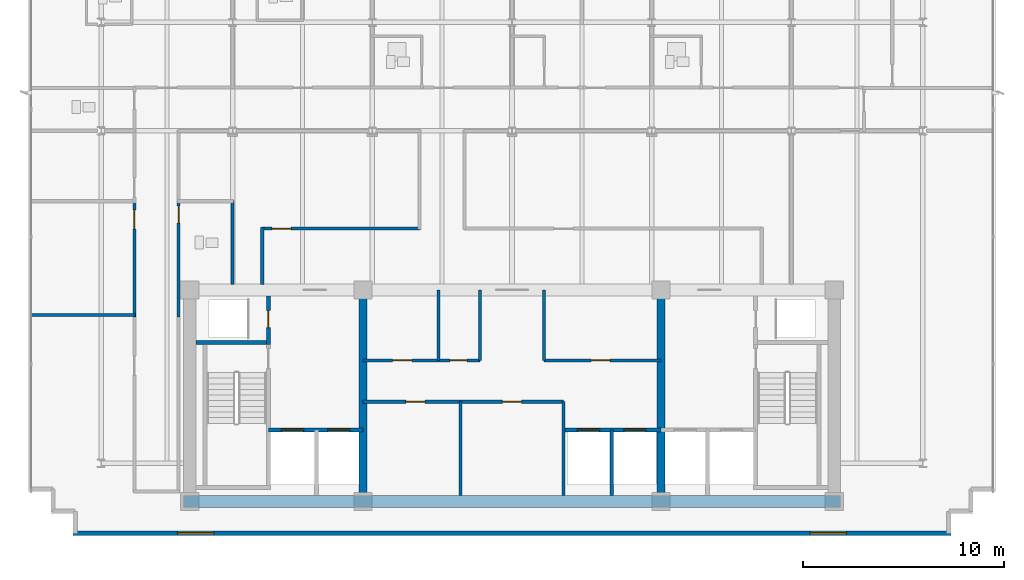
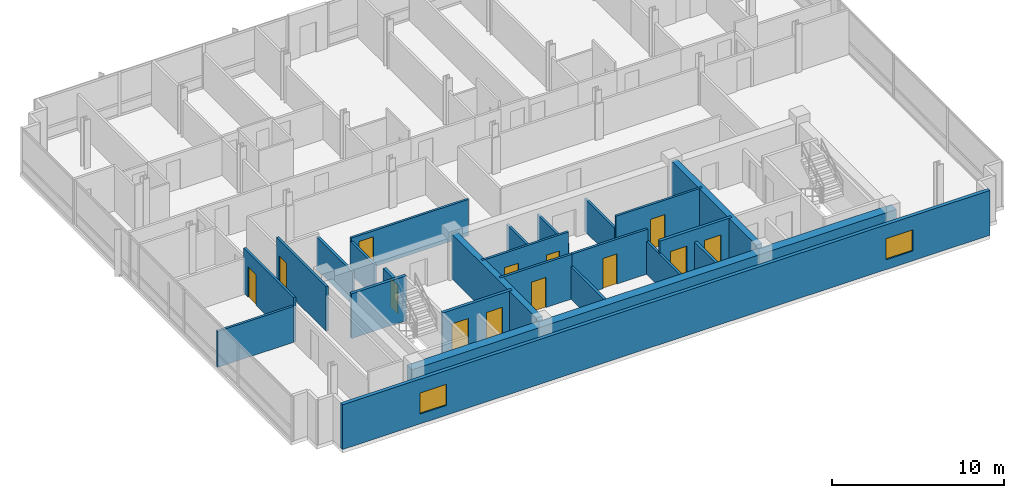
# One storey, part 8 of 14: 24 walls, 13 doors, 2 windows, 15 openings.
"""IFC4 building model written with IfcOpenShell, lengths in metres."""

import ifcopenshell
import ifcopenshell.guid

model = None  # the IFC model being written
_history = None  # IfcOwnerHistory: only IFC2X3 demands one
_inside = {}  # id of a spatial element -> (the spatial element, [elements in it])
_under = {}  # id of a project, library or spatial element -> (it, [spatial elements below it])
_declared = {}  # id of a project -> (the project, [libraries it declares])
_typed = {}  # id of a type object -> (the type object, [elements of that type])
_made_of = {}  # id of a material, layer set ... -> (it, [elements and type objects made of it])


def new_model(schema):
    """Start an empty IFC model of exactly this schema.

    Asked for "IFC4X3", IfcOpenShell would pick the latest addendum, in which some entities
    have other attributes; the version numbers below select the first issue.
    IFC2X3 requires an IfcOwnerHistory on every rooted entity: one is made here for all.
    """
    global model, _history
    if schema == "IFC4X3":
        model = ifcopenshell.file(schema_version=(4, 3, 0, 0))
    else:
        model = ifcopenshell.file(schema=schema)
    _inside.clear()
    _under.clear()
    _declared.clear()
    _typed.clear()
    _made_of.clear()
    _history = None
    if model.schema == "IFC2X3":
        org = make("IfcOrganization", Name="unknown")
        user = make(
            "IfcPersonAndOrganization",
            ThePerson=make("IfcPerson", FamilyName="unknown"),
            TheOrganization=org,
        )
        app = make(
            "IfcApplication",
            ApplicationDeveloper=org,
            Version="unknown",
            ApplicationFullName="unknown",
            ApplicationIdentifier="unknown",
        )
        _history = make(
            "IfcOwnerHistory",
            OwningUser=user,
            OwningApplication=app,
            ChangeAction="ADDED",
            CreationDate=0,
        )
    return model


def make(cls, **values):
    """One entity of the class cls with the attributes given. An attribute that is None is left unset."""
    return model.create_entity(
        cls, **{name: value for name, value in values.items() if value is not None}
    )


def rooted(cls, **values):
    """An entity with a GlobalId (a new one), such as an element, a storey or a relation."""
    return make(cls, GlobalId=ifcopenshell.guid.new(), OwnerHistory=_history, **values)


def si_unit(unit_type, name, prefix=None):
    """IfcSIUnit, for example si_unit("LENGTHUNIT", "METRE", prefix="MILLI")."""
    return make("IfcSIUnit", UnitType=unit_type, Prefix=prefix, Name=name)


def assignment(units):
    """IfcUnitAssignment: the units of a project."""
    return None if units is None else make("IfcUnitAssignment", Units=units)


def point(xyz):
    """IfcCartesianPoint."""
    return None if xyz is None else make("IfcCartesianPoint", Coordinates=xyz)


def direction(xyz):
    """IfcDirection."""
    return None if xyz is None else make("IfcDirection", DirectionRatios=xyz)


def frame(location, z_axis=None, x_axis=None):
    """IfcAxis2Placement3D, a coordinate frame: its origin and axes. An axis left out is left unset."""
    return make(
        "IfcAxis2Placement3D",
        Location=point(location),
        Axis=direction(z_axis),
        RefDirection=direction(x_axis),
    )


def frame_2d(location, x_axis=None):
    """IfcAxis2Placement2D, a coordinate frame in the plane: its origin and x axis."""
    return make(
        "IfcAxis2Placement2D", Location=point(location), RefDirection=direction(x_axis)
    )


def origin():
    """The frame at (0, 0, 0) with its axes left unset."""
    return frame((0.0, 0.0, 0.0))


def place(relative_to, where):
    """IfcLocalPlacement: puts the frame where relative to a parent placement (None: the world)."""
    return make(
        "IfcLocalPlacement", PlacementRelTo=relative_to, RelativePlacement=where
    )


def context(
    kind, dimensions, precision=None, world=None, true_north=None, identifier=None
):
    """IfcGeometricRepresentationContext, for example the 3D "Model" context."""
    return make(
        "IfcGeometricRepresentationContext",
        ContextIdentifier=identifier,
        ContextType=kind,
        CoordinateSpaceDimension=dimensions,
        Precision=precision,
        WorldCoordinateSystem=world,
        TrueNorth=true_north,
    )


def subcontext(parent, identifier, kind, view, scale=None):
    """IfcGeometricRepresentationSubContext, for example "Body" below "Model"."""
    return make(
        "IfcGeometricRepresentationSubContext",
        ContextIdentifier=identifier,
        ContextType=kind,
        ParentContext=parent,
        TargetScale=scale,
        TargetView=view,
    )


def project(units=None, contexts=None):
    """IfcProject with its units and contexts."""
    return rooted(
        "IfcProject",
        Name="project",
        RepresentationContexts=contexts,
        UnitsInContext=assignment(units),
    )


def spatial(cls, under=None, at=None, **own):
    """A site, building, storey or space (cls), placed at a placement, below another one or the project."""
    s = rooted(cls, ObjectPlacement=at, **own)
    if under is not None:
        _under.setdefault(under.id(), (under, []))[1].append(s)
    return s


def profile(cls, at=None, kind="AREA", **sizes):
    """A parametric profile (cls). Its sizes go by their IFC names, for example OverallWidth=200.0."""
    return make(cls, ProfileType=kind, Position=at, **sizes)


def rectangle(**sizes):
    """IfcRectangleProfileDef."""
    return profile("IfcRectangleProfileDef", **sizes)


def extrude(swept, where, along, depth):
    """IfcExtrudedAreaSolid: the profile swept, set in the frame where, extruded along a direction by depth."""
    return make(
        "IfcExtrudedAreaSolid",
        SweptArea=swept,
        Position=where,
        ExtrudedDirection=direction(along),
        Depth=depth,
    )


def shape(context_of_items, identifier, shape_type, items):
    """IfcShapeRepresentation: the items that make up one representation, for example the "Body"."""
    return make(
        "IfcShapeRepresentation",
        ContextOfItems=context_of_items,
        RepresentationIdentifier=identifier,
        RepresentationType=shape_type,
        Items=items,
    )


def material(Name=None, Category=None):
    """IfcMaterial."""
    return make("IfcMaterial", Name=Name, Category=Category)


def layer(
    of_material, thickness, ventilated=None, Name=None, Category=None, Priority=None
):
    """IfcMaterialLayer: one layer of a wall or slab, of a material (None: an air gap)."""
    return make(
        "IfcMaterialLayer",
        Material=of_material,
        LayerThickness=thickness,
        IsVentilated=ventilated,
        Name=Name,
        Category=Category,
        Priority=Priority,
    )


def layer_set(layers, Name=None):
    """IfcMaterialLayerSet."""
    return make("IfcMaterialLayerSet", MaterialLayers=layers, LayerSetName=Name)


def made_of(thing, what):
    """Note that an element or type object is made of a material, layer set ...; save() writes the relation."""
    if what is not None:
        _made_of.setdefault(what.id(), (what, []))[1].append(thing)
    return thing


def type_object(cls, material=None, **own):
    """A type object (cls), such as IfcWallType, which elements share."""
    return made_of(rooted(cls, **own), material)


def element(
    cls,
    number,
    at=None,
    inside=None,
    cuts=None,
    type_object=None,
    material=None,
    context=None,
    identifier="Body",
    shape_type=None,
    held_by="IfcProductDefinitionShape",
    body=None,
    shapes=None,
    **own,
):
    """One element of the class cls, such as IfcWall. Its Tag is "e" and its number.

    at: its placement. inside: the storey or other place that contains it. cuts: it is an
    opening in that element (IfcRelVoidsElement). A single representation is given by context,
    identifier, shape_type and body (its items); several are given by shapes. held_by: the class
    of the entity that holds the representations. save() writes the other relations.
    """
    e = rooted(cls, Tag="e%d" % number, ObjectPlacement=at, **own)
    if body is not None:
        shapes = [shape(context, identifier, shape_type, body)]
    if shapes is not None:
        e.Representation = make(held_by, Representations=shapes)
    if inside is not None:
        _inside.setdefault(inside.id(), (inside, []))[1].append(e)
    if cuts is not None:
        rooted(
            "IfcRelVoidsElement", RelatingBuildingElement=cuts, RelatedOpeningElement=e
        )
    if type_object is not None:
        _typed.setdefault(type_object.id(), (type_object, []))[1].append(e)
    return made_of(e, material)


def fill(opening, filler):
    """IfcRelFillsElement: the door or window that sits in an opening."""
    return rooted(
        "IfcRelFillsElement",
        RelatingOpeningElement=opening,
        RelatedBuildingElement=filler,
    )


def aggregate(whole, parts):
    """IfcRelAggregates: a whole, such as a stair, and the parts it consists of."""
    return rooted("IfcRelAggregates", RelatingObject=whole, RelatedObjects=parts)


def save(model, path):
    """Write the relations noted so far, then the file.

    IfcRelAggregates (storeys below a building ...), IfcRelContainedInSpatialStructure (elements
    in a storey), IfcRelDefinesByType, IfcRelAssociatesMaterial and IfcRelDeclares: one each for
    every whole, place, type object, material and project.
    """
    for whole, parts in _under.values():
        aggregate(whole, parts)
    for where, things in _inside.values():
        rooted(
            "IfcRelContainedInSpatialStructure",
            RelatedElements=things,
            RelatingStructure=where,
        )
    for kind, things in _typed.values():
        rooted("IfcRelDefinesByType", RelatedObjects=things, RelatingType=kind)
    for what, things in _made_of.values():
        rooted("IfcRelAssociatesMaterial", RelatedObjects=things, RelatingMaterial=what)
    for by, libraries in _declared.values():
        rooted("IfcRelDeclares", RelatingContext=by, RelatedDefinitions=libraries)
    model.write(path)


model = new_model("IFC4")

# Units and contexts
model_context = context("Model", 3, precision=1e-05, world=origin(), true_north=direction((0.0, 1.0)))
body_context = subcontext(model_context, "Body", "Model", "MODEL_VIEW")
ifc_project = project(units=[si_unit("LENGTHUNIT", "METRE"), si_unit("AREAUNIT", "SQUARE_METRE"), si_unit("VOLUMEUNIT", "CUBIC_METRE"), si_unit("PLANEANGLEUNIT", "RADIAN"), si_unit("MASSUNIT", "GRAM", prefix="KILO")], contexts=[model_context])

# Site, building, storey
site_placement = place(None, origin())
site = spatial("IfcSite", under=ifc_project, at=site_placement, CompositionType="ELEMENT")
building_placement = place(site_placement, origin())
building = spatial("IfcBuilding", under=site, at=building_placement, Name="Solmavex Isthmus Hotel", CompositionType="ELEMENT")
storey_placement = place(building_placement, frame((0.0, 0.0, 248.85009765625)))
storey = spatial("IfcBuildingStorey", under=building, at=storey_placement, Name="L67", CompositionType="ELEMENT", Elevation=248.85009765625)

# Wall, openings, windows
ifc_material_1 = material(Name="Precast Concrete C40/50", Category="concrete")
ifc_layer_1 = layer(ifc_material_1, 0.25)
ifc_layer_set_1 = layer_set([ifc_layer_1], Name="Precast Concrete C40/50")
wall_type_1 = type_object("IfcWallType", Name="EW-TWR-250", PredefinedType="STANDARD", material=ifc_layer_set_1)
wall_1_placement = place(storey_placement, frame((-21.800048828125, -14.580078125, 0.0), z_axis=(0.0, 0.0, 1.0), x_axis=(1.0, 0.0, 0.0)))
wall_1 = element("IfcWall", 1, at=wall_1_placement, inside=storey, type_object=wall_type_1, Name="Tower Rear South Facade Wall L67", PredefinedType="STANDARD", context=body_context, shape_type="SweptSolid", body=[
    extrude(rectangle(XDim=43.60009765625, YDim=0.239990234375, at=frame_2d((21.800048828125, 0.0))), origin(), (0.0, 0.0, 1.0), 3.18994140625),
])
opening_1_placement = place(wall_1_placement, frame((5.2041015625, 0.0, 0.699951171875)))
opening_1 = element("IfcOpeningElement", 2, at=opening_1_placement, cuts=wall_1, Name="Opening WN-02", PredefinedType="OPENING", context=body_context, shape_type="SweptSolid", body=[
    extrude(rectangle(XDim=1.800048828125, YDim=1.5, at=frame_2d((0.89990234375, 0.75))), frame((0.0, 0.1298828125, 0.0), z_axis=(0.0, -1.0, 0.0), x_axis=(1.0, 0.0, 0.0)), (0.0, 0.0, 1.0), 0.260009765625),
])
opening_2_placement = place(wall_1_placement, frame((36.595947265625, 0.0, 0.699951171875)))
opening_2 = element("IfcOpeningElement", 3, at=opening_2_placement, cuts=wall_1, Name="Opening WN-02", PredefinedType="OPENING", context=body_context, shape_type="SweptSolid", body=[
    extrude(rectangle(XDim=1.800048828125, YDim=1.5, at=frame_2d((0.89990234375, 0.75))), frame((0.0, 0.1298828125, 0.0), z_axis=(0.0, -1.0, 0.0), x_axis=(1.0, 0.0, 0.0)), (0.0, 0.0, 1.0), 0.260009765625),
])
ifc_material_2 = material(Name="Clear low-E laminated glass", Category="glass")
window_type = type_object("IfcWindowType", Name="WIN-TWR-1800", PartitioningType="SINGLE_PANEL", PredefinedType="WINDOW", material=ifc_material_2)
window_1_placement = place(opening_1_placement, origin())
window_1 = element("IfcWindow", 4, at=window_1_placement, inside=storey, type_object=window_type, Name="South Facade Vision Window L67-S1", OverallHeight=1.5, OverallWidth=1.800048828125, PartitioningType="SINGLE_PANEL", PredefinedType="WINDOW", context=body_context, shape_type="SweptSolid", body=[
    extrude(rectangle(XDim=1.800048828125, YDim=1.5, at=frame_2d((0.89990234375, 0.75))), frame((0.0, 0.030029296875, 0.0), z_axis=(0.0, -1.0, 0.0), x_axis=(1.0, 0.0, 0.0)), (0.0, 0.0, 1.0), 0.06005859375),
])
fill(opening_1, window_1)
window_2_placement = place(opening_2_placement, origin())
window_2 = element("IfcWindow", 5, at=window_2_placement, inside=storey, type_object=window_type, Name="South Facade Vision Window L67-S2", OverallHeight=1.5, OverallWidth=1.800048828125, PartitioningType="SINGLE_PANEL", PredefinedType="WINDOW", context=body_context, shape_type="SweptSolid", body=[
    extrude(rectangle(XDim=1.800048828125, YDim=1.5, at=frame_2d((0.89990234375, 0.75))), frame((0.0, 0.030029296875, 0.0), z_axis=(0.0, -1.0, 0.0), x_axis=(1.0, 0.0, 0.0)), (0.0, 0.0, 1.0), 0.06005859375),
])
fill(opening_2, window_2)

# Wall, opening, door
ifc_material_3 = material(Name="Gypsum plasterboard lining", Category="gypsum")
ifc_layer_2 = layer(ifc_material_3, 0.159912109375)
ifc_layer_set_2 = layer_set([ifc_layer_2], Name="Gypsum plasterboard lining")
wall_type_2 = type_object("IfcWallType", Name="IW-COMP-160", PredefinedType="PARTITIONING", material=ifc_layer_set_2)
wall_2_placement = place(storey_placement, frame((-7.39990234375, -8.050048828125, 0.0), z_axis=(0.0, 0.0, 1.0), x_axis=(1.0, 0.0, 0.0)))
wall_2 = element("IfcWall", 6, at=wall_2_placement, inside=storey, type_object=wall_type_2, Name="Interior Partition Wall W-L67-REC-PLL-N", PredefinedType="PARTITIONING", context=body_context, shape_type="SweptSolid", body=[
    extrude(rectangle(XDim=4.849853515625, YDim=0.159912109375, at=frame_2d((2.4248046875, 0.0))), origin(), (0.0, 0.0, 1.0), 3.18994140625),
])
opening_3_placement = place(wall_2_placement, frame((2.125, 0.0, 0.0)))
opening_3 = element("IfcOpeningElement", 7, at=opening_3_placement, cuts=wall_2, Name="Opening ID-C095", PredefinedType="OPENING", context=body_context, shape_type="SweptSolid", body=[
    extrude(rectangle(XDim=0.949951171875, YDim=2.14990234375, at=frame_2d((0.47509765625, 1.074951171875))), frame((0.0, 0.08984375, 0.0), z_axis=(0.0, -1.0, 0.0), x_axis=(1.0, 0.0, 0.0)), (0.0, 0.0, 1.0), 0.179931640625),
])
ifc_material_4 = material(Name="Hardwood timber", Category="wood")
door_type_1 = type_object("IfcDoorType", Name="IDR-FD60-0950", OperationType="NOTDEFINED", PredefinedType="DOOR", material=ifc_material_4)
door_1_placement = place(opening_3_placement, origin())
door_1 = element("IfcDoor", 8, at=door_1_placement, inside=storey, type_object=door_type_1, Name="Linen Reserve Door L67", OperationType="SINGLE_SWING_LEFT", OverallHeight=2.14990234375, OverallWidth=0.949951171875, PredefinedType="DOOR", context=body_context, shape_type="SweptSolid", body=[
    extrude(rectangle(XDim=0.949951171875, YDim=2.14990234375, at=frame_2d((0.47509765625, 1.074951171875))), frame((0.0, 0.02490234375, 0.0), z_axis=(0.0, -1.0, 0.0), x_axis=(1.0, 0.0, 0.0)), (0.0, 0.0, 1.0), 0.050048828125),
])
fill(opening_3, door_1)

# Wall
wall_3_placement = place(storey_placement, frame((-2.550048828125, -12.699951171875, 0.0), z_axis=(0.0, 0.0, 1.0), x_axis=(0.0, 1.0, 0.0)))
element("IfcWall", 9, at=wall_3_placement, inside=storey, type_object=wall_type_2, Name="Interior Partition Wall W-L67-REC-PLL-E", PredefinedType="PARTITIONING", context=body_context, shape_type="SweptSolid", body=[
    extrude(rectangle(XDim=4.64990234375, YDim=0.159912109375, at=frame_2d((2.324951171875, 0.0))), origin(), (0.0, 0.0, 1.0), 2.324951171875),
])

# Wall, opening, door
wall_4_placement = place(storey_placement, frame((-2.550048828125, -8.050048828125, 0.0), z_axis=(0.0, 0.0, 1.0), x_axis=(1.0, 0.0, 0.0)))
wall_4 = element("IfcWall", 10, at=wall_4_placement, inside=storey, type_object=wall_type_2, Name="Interior Partition Wall W-L67-REC-PLM-N", PredefinedType="PARTITIONING", context=body_context, shape_type="SweptSolid", body=[
    extrude(rectangle(XDim=5.10009765625, YDim=0.159912109375, at=frame_2d((2.550048828125, 0.0))), origin(), (0.0, 0.0, 1.0), 3.18994140625),
])
opening_4_placement = place(wall_4_placement, frame((2.074951171875, 0.0, 0.0)))
opening_4 = element("IfcOpeningElement", 11, at=opening_4_placement, cuts=wall_4, Name="Opening ID-C095", PredefinedType="OPENING", context=body_context, shape_type="SweptSolid", body=[
    extrude(rectangle(XDim=0.949951171875, YDim=2.14990234375, at=frame_2d((0.47509765625, 1.074951171875))), frame((0.0, 0.08984375, 0.0), z_axis=(0.0, -1.0, 0.0), x_axis=(1.0, 0.0, 0.0)), (0.0, 0.0, 1.0), 0.179931640625),
])
door_2_placement = place(opening_4_placement, origin())
door_2 = element("IfcDoor", 12, at=door_2_placement, inside=storey, type_object=door_type_1, Name="Butler Store Door L67", OperationType="SINGLE_SWING_RIGHT", OverallHeight=2.14990234375, OverallWidth=0.949951171875, PredefinedType="DOOR", context=body_context, shape_type="SweptSolid", body=[
    extrude(rectangle(XDim=0.949951171875, YDim=2.14990234375, at=frame_2d((0.47509765625, 1.074951171875))), frame((0.0, 0.02490234375, 0.0), z_axis=(0.0, -1.0, 0.0), x_axis=(1.0, 0.0, 0.0)), (0.0, 0.0, 1.0), 0.050048828125),
])
fill(opening_4, door_2)

# Walls
wall_5_placement = place(storey_placement, frame((2.550048828125, -12.699951171875, 0.0), z_axis=(0.0, 0.0, 1.0), x_axis=(0.0, 1.0, 0.0)))
element("IfcWall", 13, at=wall_5_placement, inside=storey, type_object=wall_type_2, Name="Interior Partition Wall W-L67-REC-PLM-E", PredefinedType="PARTITIONING", context=body_context, shape_type="SweptSolid", body=[
    extrude(rectangle(XDim=4.64990234375, YDim=0.159912109375, at=frame_2d((2.324951171875, 0.0))), origin(), (0.0, 0.0, 1.0), 2.324951171875),
])
wall_6_placement = place(storey_placement, frame((-13.8720703125, 1.93994140625, 0.0), z_axis=(0.0, 0.0, 1.0), x_axis=(0.0, -1.0, 0.0)))
element("IfcWall", 14, at=wall_6_placement, inside=storey, type_object=wall_type_2, Name="Interior Partition Wall W-L67-P090", PredefinedType="PARTITIONING", context=body_context, shape_type="SweptSolid", body=[
    extrude(rectangle(XDim=4.179931640625, YDim=0.159912109375, at=frame_2d((2.08984375, 0.0))), origin(), (0.0, 0.0, 1.0), 2.324951171875),
])
wall_7_placement = place(storey_placement, frame((-18.7099609375, -3.75, 0.0), z_axis=(0.0, 0.0, 1.0), x_axis=(-1.0, 0.0, 0.0)))
element("IfcWall", 15, at=wall_7_placement, inside=storey, type_object=wall_type_2, Name="Interior Partition Wall W-L67-P094", PredefinedType="PARTITIONING", context=body_context, shape_type="SweptSolid", body=[
    extrude(rectangle(XDim=5.2099609375, YDim=0.159912109375, at=frame_2d((2.60498046875, 0.0))), origin(), (0.0, 0.0, 1.0), 2.557373046875),
])

# Wall, openings, doors
ifc_layer_3 = layer(ifc_material_3, 0.14990234375)
ifc_layer_set_3 = layer_set([ifc_layer_3], Name="Gypsum plasterboard lining")
wall_type_3 = type_object("IfcWallType", Name="IW-CORR-150", PredefinedType="PARTITIONING", material=ifc_layer_set_3)
wall_8_placement = place(storey_placement, frame((-7.39990234375, -6.0, 0.0), z_axis=(0.0, 0.0, 1.0), x_axis=(1.0, 0.0, 0.0)))
wall_8 = element("IfcWall", 16, at=wall_8_placement, inside=storey, type_object=wall_type_3, Name="Interior Partition Wall W-L67-BOH-WS", PredefinedType="PARTITIONING", context=body_context, shape_type="SweptSolid", body=[
    extrude(rectangle(XDim=5.7998046875, YDim=0.14990234375, at=frame_2d((2.89990234375, 0.0))), origin(), (0.0, 0.0, 1.0), 3.18994140625),
])
opening_5_placement = place(wall_8_placement, frame((1.47509765625, 0.0, 0.0)))
opening_5 = element("IfcOpeningElement", 17, at=opening_5_placement, cuts=wall_8, Name="Opening ID-C095", PredefinedType="OPENING", context=body_context, shape_type="SweptSolid", body=[
    extrude(rectangle(XDim=0.949951171875, YDim=2.14990234375, at=frame_2d((0.47509765625, 1.074951171875))), frame((0.0, 0.0849609375, 0.0), z_axis=(0.0, -1.0, 0.0), x_axis=(1.0, 0.0, 0.0)), (0.0, 0.0, 1.0), 0.169921875),
])
opening_6_placement = place(wall_8_placement, frame((4.324951171875, 0.0, 0.0)))
opening_6 = element("IfcOpeningElement", 18, at=opening_6_placement, cuts=wall_8, Name="Opening ID-R085", PredefinedType="OPENING", context=body_context, shape_type="SweptSolid", body=[
    extrude(rectangle(XDim=0.85009765625, YDim=2.050048828125, at=frame_2d((0.425048828125, 1.02490234375))), frame((0.0, 0.0849609375, 0.0), z_axis=(0.0, -1.0, 0.0), x_axis=(1.0, 0.0, 0.0)), (0.0, 0.0, 1.0), 0.169921875),
])
ifc_material_5 = material(Name="Steel ASTM A500 Grade C", Category="steel")
door_type_2 = type_object("IfcDoorType", Name="IDR-FD60-0850", OperationType="NOTDEFINED", PredefinedType="DOOR", material=ifc_material_5)
door_3_placement = place(opening_6_placement, frame((0.85009765625, 0.0, 0.0), z_axis=(0.0, 0.0, 1.0), x_axis=(-1.0, 0.0, 0.0)))
door_3 = element("IfcDoor", 19, at=door_3_placement, inside=storey, type_object=door_type_2, Name="Cleaner Closet Door L67", OperationType="SINGLE_SWING_RIGHT", OverallHeight=2.050048828125, OverallWidth=0.85009765625, PredefinedType="DOOR", context=body_context, shape_type="SweptSolid", body=[
    extrude(rectangle(XDim=0.85009765625, YDim=2.050048828125, at=frame_2d((0.425048828125, 1.02490234375))), frame((0.0, 0.02490234375, 0.0), z_axis=(0.0, -1.0, 0.0), x_axis=(1.0, 0.0, 0.0)), (0.0, 0.0, 1.0), 0.050048828125),
])
fill(opening_6, door_3)
door_4_placement = place(opening_5_placement, frame((0.949951171875, 0.0, 0.0), z_axis=(0.0, 0.0, 1.0), x_axis=(-1.0, 0.0, 0.0)))
door_4 = element("IfcDoor", 20, at=door_4_placement, inside=storey, type_object=door_type_1, Name="Housekeeping Store Door L67", OperationType="SINGLE_SWING_LEFT", OverallHeight=2.14990234375, OverallWidth=0.949951171875, PredefinedType="DOOR", context=body_context, shape_type="SweptSolid", body=[
    extrude(rectangle(XDim=0.949951171875, YDim=2.14990234375, at=frame_2d((0.47509765625, 1.074951171875))), frame((0.0, 0.02490234375, 0.0), z_axis=(0.0, -1.0, 0.0), x_axis=(1.0, 0.0, 0.0)), (0.0, 0.0, 1.0), 0.050048828125),
])
fill(opening_5, door_4)

# Wall
wall_9_placement = place(storey_placement, frame((-1.60009765625, -6.0, 0.0), z_axis=(0.0, 0.0, 1.0), x_axis=(0.0, 1.0, 0.0)))
element("IfcWall", 21, at=wall_9_placement, inside=storey, type_object=wall_type_3, Name="Interior Partition Wall W-L67-BOH-WE", PredefinedType="PARTITIONING", context=body_context, shape_type="SweptSolid", body=[
    extrude(rectangle(XDim=3.5, YDim=0.14990234375, at=frame_2d((1.75, 0.0))), origin(), (0.0, 0.0, 1.0), 2.324951171875),
])

# Wall, opening, door
wall_10_placement = place(storey_placement, frame((1.60009765625, -6.0, 0.0), z_axis=(0.0, 0.0, 1.0), x_axis=(1.0, 0.0, 0.0)))
wall_10 = element("IfcWall", 22, at=wall_10_placement, inside=storey, type_object=wall_type_3, Name="Interior Partition Wall W-L67-BOH-ES", PredefinedType="PARTITIONING", context=body_context, shape_type="SweptSolid", body=[
    extrude(rectangle(XDim=5.7998046875, YDim=0.14990234375, at=frame_2d((2.89990234375, 0.0))), origin(), (0.0, 0.0, 1.0), 3.18994140625),
])
opening_7_placement = place(wall_10_placement, frame((2.324951171875, 0.0, 0.0)))
opening_7 = element("IfcOpeningElement", 23, at=opening_7_placement, cuts=wall_10, Name="Opening ID-C095", PredefinedType="OPENING", context=body_context, shape_type="SweptSolid", body=[
    extrude(rectangle(XDim=0.949951171875, YDim=2.14990234375, at=frame_2d((0.47509765625, 1.074951171875))), frame((0.0, 0.0849609375, 0.0), z_axis=(0.0, -1.0, 0.0), x_axis=(1.0, 0.0, 0.0)), (0.0, 0.0, 1.0), 0.169921875),
])
door_5_placement = place(opening_7_placement, frame((0.949951171875, 0.0, 0.0), z_axis=(0.0, 0.0, 1.0), x_axis=(-1.0, 0.0, 0.0)))
door_5 = element("IfcDoor", 24, at=door_5_placement, inside=storey, type_object=door_type_1, Name="Butler Pantry Door L67", OperationType="SINGLE_SWING_RIGHT", OverallHeight=2.14990234375, OverallWidth=0.949951171875, PredefinedType="DOOR", context=body_context, shape_type="SweptSolid", body=[
    extrude(rectangle(XDim=0.949951171875, YDim=2.14990234375, at=frame_2d((0.47509765625, 1.074951171875))), frame((0.0, 0.02490234375, 0.0), z_axis=(0.0, -1.0, 0.0), x_axis=(1.0, 0.0, 0.0)), (0.0, 0.0, 1.0), 0.050048828125),
])
fill(opening_7, door_5)

# Wall
wall_11_placement = place(storey_placement, frame((1.60009765625, -6.0, 0.0), z_axis=(0.0, 0.0, 1.0), x_axis=(0.0, 1.0, 0.0)))
element("IfcWall", 25, at=wall_11_placement, inside=storey, type_object=wall_type_3, Name="Interior Partition Wall W-L67-BOH-EW", PredefinedType="PARTITIONING", context=body_context, shape_type="SweptSolid", body=[
    extrude(rectangle(XDim=3.5, YDim=0.14990234375, at=frame_2d((1.75, 0.0))), origin(), (0.0, 0.0, 1.0), 2.324951171875),
])

# Wall, opening, door
wall_12_placement = place(storey_placement, frame((-16.550048828125, 1.98193359375, 0.0), z_axis=(0.0, 0.0, 1.0), x_axis=(0.0, -1.0, 0.0)))
wall_12 = element("IfcWall", 26, at=wall_12_placement, inside=storey, type_object=wall_type_3, Name="Interior Partition Wall W-L67-P012", PredefinedType="PARTITIONING", context=body_context, shape_type="SweptSolid", body=[
    extrude(rectangle(XDim=5.81396484375, YDim=0.14990234375, at=frame_2d((2.906982421875, 0.0))), origin(), (0.0, 0.0, 1.0), 3.18994140625),
])
opening_8_placement = place(wall_12_placement, frame((0.314453125, 0.0, 0.0)))
opening_8 = element("IfcOpeningElement", 27, at=opening_8_placement, cuts=wall_12, Name="Opening ID-R085", PredefinedType="OPENING", context=body_context, shape_type="SweptSolid", body=[
    extrude(rectangle(XDim=0.85009765625, YDim=2.050048828125, at=frame_2d((0.425048828125, 1.02490234375))), frame((0.0, 0.0849609375, 0.0), z_axis=(0.0, -1.0, 0.0), x_axis=(1.0, 0.0, 0.0)), (0.0, 0.0, 1.0), 0.169921875),
])
door_6_placement = place(opening_8_placement, frame((0.85009765625, 0.0, 0.0), z_axis=(0.0, 0.0, 1.0), x_axis=(-1.0, 0.0, 0.0)))
door_6 = element("IfcDoor", 28, at=door_6_placement, inside=storey, type_object=door_type_2, Name="Public Restroom WC Door L67-21", OperationType="SINGLE_SWING_LEFT", OverallHeight=2.050048828125, OverallWidth=0.85009765625, PredefinedType="DOOR", context=body_context, shape_type="SweptSolid", body=[
    extrude(rectangle(XDim=0.85009765625, YDim=2.050048828125, at=frame_2d((0.425048828125, 1.02490234375))), frame((0.0, 0.02490234375, 0.0), z_axis=(0.0, -1.0, 0.0), x_axis=(1.0, 0.0, 0.0)), (0.0, 0.0, 1.0), 0.050048828125),
])
fill(opening_8, door_6)

wall_13_placement = place(storey_placement, frame((-18.75, -3.83203125, 0.0), z_axis=(0.0, 0.0, 1.0), x_axis=(0.0, 1.0, 0.0)))
wall_13 = element("IfcWall", 29, at=wall_13_placement, inside=storey, type_object=wall_type_3, Name="Interior Partition Wall W-L67-P015", PredefinedType="PARTITIONING", context=body_context, shape_type="SweptSolid", body=[
    extrude(rectangle(XDim=5.81396484375, YDim=0.14990234375, at=frame_2d((2.906982421875, 0.0))), origin(), (0.0, 0.0, 1.0), 3.18994140625),
])
opening_9_placement = place(wall_13_placement, frame((4.358642578125, 0.0, 0.0)))
opening_9 = element("IfcOpeningElement", 30, at=opening_9_placement, cuts=wall_13, Name="Opening ID-C095", PredefinedType="OPENING", context=body_context, shape_type="SweptSolid", body=[
    extrude(rectangle(XDim=0.949951171875, YDim=2.14990234375, at=frame_2d((0.47509765625, 1.074951171875))), frame((0.0, 0.0849609375, 0.0), z_axis=(0.0, -1.0, 0.0), x_axis=(1.0, 0.0, 0.0)), (0.0, 0.0, 1.0), 0.169921875),
])
door_7_placement = place(opening_9_placement, origin())
door_7 = element("IfcDoor", 31, at=door_7_placement, inside=storey, type_object=door_type_1, Name="Finishing Kitchen Door L67-24", OperationType="SINGLE_SWING_RIGHT", OverallHeight=2.14990234375, OverallWidth=0.949951171875, PredefinedType="DOOR", context=body_context, shape_type="SweptSolid", body=[
    extrude(rectangle(XDim=0.949951171875, YDim=2.14990234375, at=frame_2d((0.47509765625, 1.074951171875))), frame((0.0, 0.02490234375, 0.0), z_axis=(0.0, -1.0, 0.0), x_axis=(1.0, 0.0, 0.0)), (0.0, 0.0, 1.0), 0.050048828125),
])
fill(opening_9, door_7)

# Wall
wall_14_placement = place(storey_placement, frame((-12.39990234375, -2.239990234375, 0.0), z_axis=(0.0, 0.0, 1.0), x_axis=(0.0, 1.0, 0.0)))
element("IfcWall", 32, at=wall_14_placement, inside=storey, type_object=wall_type_3, Name="Interior Partition Wall W-L67-P016", PredefinedType="PARTITIONING", context=body_context, shape_type="SweptSolid", body=[
    extrude(rectangle(XDim=2.830078125, YDim=0.14990234375, at=frame_2d((1.4150390625, 0.0))), origin(), (0.0, 0.0, 1.0), 2.324951171875),
])

# Wall, opening, door
wall_15_placement = place(storey_placement, frame((-12.43994140625, 0.550048828125, 0.0), z_axis=(0.0, 0.0, 1.0), x_axis=(1.0, 0.0, 0.0)))
wall_15 = element("IfcWall", 33, at=wall_15_placement, inside=storey, type_object=wall_type_3, Name="Interior Partition Wall W-L67-P017", PredefinedType="PARTITIONING", context=body_context, shape_type="SweptSolid", body=[
    extrude(rectangle(XDim=7.891845703125, YDim=0.14990234375, at=frame_2d((3.94580078125, 0.0))), origin(), (0.0, 0.0, 1.0), 2.572265625),
])
opening_10_placement = place(wall_15_placement, frame((0.51806640625, 0.0, 0.0)))
opening_10 = element("IfcOpeningElement", 34, at=opening_10_placement, cuts=wall_15, Name="Opening ID-C095", PredefinedType="OPENING", context=body_context, shape_type="SweptSolid", body=[
    extrude(rectangle(XDim=0.949951171875, YDim=2.14990234375, at=frame_2d((0.47509765625, 1.074951171875))), frame((0.0, 0.0849609375, 0.0), z_axis=(0.0, -1.0, 0.0), x_axis=(1.0, 0.0, 0.0)), (0.0, 0.0, 1.0), 0.169921875),
])
door_8_placement = place(opening_10_placement, origin())
door_8 = element("IfcDoor", 35, at=door_8_placement, inside=storey, type_object=door_type_1, Name="Reading Library Door L67-25", OperationType="SINGLE_SWING_LEFT", OverallHeight=2.14990234375, OverallWidth=0.949951171875, PredefinedType="DOOR", context=body_context, shape_type="SweptSolid", body=[
    extrude(rectangle(XDim=0.949951171875, YDim=2.14990234375, at=frame_2d((0.47509765625, 1.074951171875))), frame((0.0, 0.02490234375, 0.0), z_axis=(0.0, -1.0, 0.0), x_axis=(1.0, 0.0, 0.0)), (0.0, 0.0, 1.0), 0.050048828125),
])
fill(opening_10, door_8)

# Walls
ifc_layer_4 = layer(ifc_material_3, 0.1201171875)
ifc_layer_set_4 = layer_set([ifc_layer_4], Name="Gypsum plasterboard lining")
wall_type_4 = type_object("IfcWallType", Name="IW-PART-120", PredefinedType="PARTITIONING", material=ifc_layer_set_4)
wall_16_placement = place(storey_placement, frame((-3.64990234375, -6.0, 0.0), z_axis=(0.0, 0.0, 1.0), x_axis=(0.0, 1.0, 0.0)))
element("IfcWall", 36, at=wall_16_placement, inside=storey, type_object=wall_type_4, Name="Interior Partition Wall W-L67-BOH-WM1", PredefinedType="PARTITIONING", context=body_context, shape_type="SweptSolid", body=[
    extrude(rectangle(XDim=3.5, YDim=0.14990234375, at=frame_2d((1.75, 0.0))), origin(), (0.0, 0.0, 1.0), 2.324951171875),
])
ifc_material_6 = material(Name="Concrete C40/50", Category="concrete")
ifc_layer_5 = layer(ifc_material_6, 0.179931640625)
ifc_layer_set_5 = layer_set([ifc_layer_5], Name="Concrete C40/50")
wall_type_5 = type_object("IfcWallType", Name="IW-SHAFT-180", PredefinedType="PARTITIONING", material=ifc_layer_set_5)
wall_17_placement = place(storey_placement, frame((4.949951171875, -12.699951171875, 0.0), z_axis=(0.0, 0.0, 1.0), x_axis=(0.0, 1.0, 0.0)))
element("IfcWall", 37, at=wall_17_placement, inside=storey, type_object=wall_type_5, Name="Interior Partition Wall W-L67-SH-PLH-M", PredefinedType="PARTITIONING", context=body_context, shape_type="SweptSolid", body=[
    extrude(rectangle(XDim=3.25, YDim=0.179931640625, at=frame_2d((1.625, 0.0))), origin(), (0.0, 0.0, 1.0), 2.324951171875),
])

# Wall, opening, door
ifc_layer_6 = layer(ifc_material_6, 0.199951171875)
ifc_layer_set_6 = layer_set([ifc_layer_6], Name="Concrete C40/50")
wall_type_6 = type_object("IfcWallType", Name="IW-SHAFT-200", PredefinedType="PARTITIONING", material=ifc_layer_set_6)
wall_18_placement = place(storey_placement, frame((-12.10009765625, -5.199951171875, 0.0), z_axis=(0.0, 0.0, 1.0), x_axis=(0.0, 1.0, 0.0)))
wall_18 = element("IfcWall", 38, at=wall_18_placement, inside=storey, type_object=wall_type_6, Name="Interior Partition Wall W-L67-RSW-E", PredefinedType="PARTITIONING", context=body_context, shape_type="SweptSolid", body=[
    extrude(rectangle(XDim=2.39990234375, YDim=0.199951171875, at=frame_2d((1.199951171875, 0.0))), origin(), (0.0, 0.0, 1.0), 2.324951171875),
])
opening_11_placement = place(wall_18_placement, frame((0.824951171875, 0.0, 0.0)))
opening_11 = element("IfcOpeningElement", 39, at=opening_11_placement, cuts=wall_18, Name="Opening ID-R085", PredefinedType="OPENING", context=body_context, shape_type="SweptSolid", body=[
    extrude(rectangle(XDim=0.85009765625, YDim=2.050048828125, at=frame_2d((0.425048828125, 1.02490234375))), frame((0.0, 0.10986328125, 0.0), z_axis=(0.0, -1.0, 0.0), x_axis=(1.0, 0.0, 0.0)), (0.0, 0.0, 1.0), 0.219970703125),
])
door_9_placement = place(opening_11_placement, origin())
door_9 = element("IfcDoor", 40, at=door_9_placement, inside=storey, type_object=door_type_2, Name="Electrical Riser Door L67", OperationType="SINGLE_SWING_RIGHT", OverallHeight=2.050048828125, OverallWidth=0.85009765625, PredefinedType="DOOR", context=body_context, shape_type="SweptSolid", body=[
    extrude(rectangle(XDim=0.85009765625, YDim=2.050048828125, at=frame_2d((0.425048828125, 1.02490234375))), frame((0.0, 0.02490234375, 0.0), z_axis=(0.0, -1.0, 0.0), x_axis=(1.0, 0.0, 0.0)), (0.0, 0.0, 1.0), 0.050048828125),
])
fill(opening_11, door_9)

# Wall, openings, doors
wall_19_placement = place(storey_placement, frame((-12.10009765625, -9.449951171875, 0.0), z_axis=(0.0, 0.0, 1.0), x_axis=(1.0, 0.0, 0.0)))
wall_19 = element("IfcWall", 41, at=wall_19_placement, inside=storey, type_object=wall_type_6, Name="Interior Partition Wall W-L67-FFLW-S", PredefinedType="PARTITIONING", context=body_context, shape_type="SweptSolid", body=[
    extrude(rectangle(XDim=4.7001953125, YDim=0.199951171875, at=frame_2d((2.35009765625, 0.0))), origin(), (0.0, 0.0, 1.0), 3.18994140625),
])
opening_12_placement = place(wall_19_placement, frame((0.64990234375, 0.0, 0.0)))
opening_12 = element("IfcOpeningElement", 42, at=opening_12_placement, cuts=wall_19, Name="Opening LD-FF", PredefinedType="OPENING", context=body_context, shape_type="SweptSolid", body=[
    extrude(rectangle(XDim=1.10009765625, YDim=2.199951171875, at=frame_2d((0.550048828125, 1.10009765625))), frame((0.0, 0.10986328125, 0.0), z_axis=(0.0, -1.0, 0.0), x_axis=(1.0, 0.0, 0.0)), (0.0, 0.0, 1.0), 0.219970703125),
])
opening_13_placement = place(wall_19_placement, frame((2.949951171875, 0.0, 0.0)))
opening_13 = element("IfcOpeningElement", 43, at=opening_13_placement, cuts=wall_19, Name="Opening LD-SV", PredefinedType="OPENING", context=body_context, shape_type="SweptSolid", body=[
    extrude(rectangle(XDim=1.10009765625, YDim=2.199951171875, at=frame_2d((0.550048828125, 1.10009765625))), frame((0.0, 0.10986328125, 0.0), z_axis=(0.0, -1.0, 0.0), x_axis=(1.0, 0.0, 0.0)), (0.0, 0.0, 1.0), 0.219970703125),
])
ifc_material_7 = material(Name="Stainless steel 316", Category="steel")
door_type_3 = type_object("IfcDoorType", Name="LDR-FF-1100", OperationType="NOTDEFINED", PredefinedType="DOOR", material=ifc_material_7)
door_10_placement = place(opening_12_placement, origin())
door_10 = element("IfcDoor", 44, at=door_10_placement, inside=storey, type_object=door_type_3, Name="Lift Landing Door FFL-1 L67", OperationType="SLIDING_TO_LEFT", OverallHeight=2.199951171875, OverallWidth=1.10009765625, PredefinedType="DOOR", context=body_context, shape_type="SweptSolid", body=[
    extrude(rectangle(XDim=1.10009765625, YDim=2.199951171875, at=frame_2d((0.550048828125, 1.10009765625))), frame((0.0, 0.02490234375, 0.0), z_axis=(0.0, -1.0, 0.0), x_axis=(1.0, 0.0, 0.0)), (0.0, 0.0, 1.0), 0.050048828125),
])
fill(opening_12, door_10)
door_type_4 = type_object("IfcDoorType", Name="LDR-SV-1100", OperationType="NOTDEFINED", PredefinedType="DOOR", material=ifc_material_7)
door_11_placement = place(opening_13_placement, origin())
door_11 = element("IfcDoor", 45, at=door_11_placement, inside=storey, type_object=door_type_4, Name="Lift Landing Door SVL-1 L67", OperationType="SLIDING_TO_RIGHT", OverallHeight=2.199951171875, OverallWidth=1.10009765625, PredefinedType="DOOR", context=body_context, shape_type="SweptSolid", body=[
    extrude(rectangle(XDim=1.10009765625, YDim=2.199951171875, at=frame_2d((0.550048828125, 1.10009765625))), frame((0.0, 0.02490234375, 0.0), z_axis=(0.0, -1.0, 0.0), x_axis=(1.0, 0.0, 0.0)), (0.0, 0.0, 1.0), 0.050048828125),
])
fill(opening_13, door_11)

wall_20_placement = place(storey_placement, frame((2.550048828125, -9.449951171875, 0.0), z_axis=(0.0, 0.0, 1.0), x_axis=(1.0, 0.0, 0.0)))
wall_20 = element("IfcWall", 46, at=wall_20_placement, inside=storey, type_object=wall_type_6, Name="Interior Partition Wall W-L67-SH-PLH", PredefinedType="PARTITIONING", context=body_context, shape_type="SweptSolid", body=[
    extrude(rectangle(XDim=4.849853515625, YDim=0.199951171875, at=frame_2d((2.4248046875, 0.0))), origin(), (0.0, 0.0, 1.0), 3.18994140625),
])
opening_14_placement = place(wall_20_placement, frame((0.699951171875, 0.0, 0.0)))
opening_14 = element("IfcOpeningElement", 47, at=opening_14_placement, cuts=wall_20, Name="Opening LD-PL", PredefinedType="OPENING", context=body_context, shape_type="SweptSolid", body=[
    extrude(rectangle(XDim=1.10009765625, YDim=2.199951171875, at=frame_2d((0.550048828125, 1.10009765625))), frame((0.0, 0.10986328125, 0.0), z_axis=(0.0, -1.0, 0.0), x_axis=(1.0, 0.0, 0.0)), (0.0, 0.0, 1.0), 0.219970703125),
])
opening_15_placement = place(wall_20_placement, frame((3.0, 0.0, 0.0)))
opening_15 = element("IfcOpeningElement", 48, at=opening_15_placement, cuts=wall_20, Name="Opening LD-PL", PredefinedType="OPENING", context=body_context, shape_type="SweptSolid", body=[
    extrude(rectangle(XDim=1.10009765625, YDim=2.199951171875, at=frame_2d((0.550048828125, 1.10009765625))), frame((0.0, 0.10986328125, 0.0), z_axis=(0.0, -1.0, 0.0), x_axis=(1.0, 0.0, 0.0)), (0.0, 0.0, 1.0), 0.219970703125),
])
door_type_5 = type_object("IfcDoorType", Name="LDR-PL-1100", OperationType="NOTDEFINED", PredefinedType="DOOR", material=ifc_material_7)
door_12_placement = place(opening_14_placement, origin())
door_12 = element("IfcDoor", 49, at=door_12_placement, inside=storey, type_object=door_type_5, Name="Lift Landing Door PLH1 L67", OperationType="SLIDING_TO_LEFT", OverallHeight=2.199951171875, OverallWidth=1.10009765625, PredefinedType="DOOR", context=body_context, shape_type="SweptSolid", body=[
    extrude(rectangle(XDim=1.10009765625, YDim=2.199951171875, at=frame_2d((0.550048828125, 1.10009765625))), frame((0.0, 0.02490234375, 0.0), z_axis=(0.0, -1.0, 0.0), x_axis=(1.0, 0.0, 0.0)), (0.0, 0.0, 1.0), 0.050048828125),
])
fill(opening_14, door_12)
door_13_placement = place(opening_15_placement, origin())
door_13 = element("IfcDoor", 50, at=door_13_placement, inside=storey, type_object=door_type_5, Name="Lift Landing Door PLH2 L67", OperationType="SLIDING_TO_LEFT", OverallHeight=2.199951171875, OverallWidth=1.10009765625, PredefinedType="DOOR", context=body_context, shape_type="SweptSolid", body=[
    extrude(rectangle(XDim=1.10009765625, YDim=2.199951171875, at=frame_2d((0.550048828125, 1.10009765625))), frame((0.0, 0.02490234375, 0.0), z_axis=(0.0, -1.0, 0.0), x_axis=(1.0, 0.0, 0.0)), (0.0, 0.0, 1.0), 0.050048828125),
])
fill(opening_15, door_13)

# Walls
ifc_material_8 = material(Name="Concrete C50/60", Category="concrete")
ifc_layer_7 = layer(ifc_material_8, 0.39990234375)
ifc_layer_set_7 = layer_set([ifc_layer_7], Name="Concrete C50/60")
wall_type_7 = type_object("IfcWallType", Name="WALL-CW-400H", PredefinedType="SHEAR", material=ifc_layer_set_7)
for number, where, z_axis, x_axis, name in (
    (51, (-7.39990234375, -12.699951171875, 0.0), (0.0, 0.0, 1.0), (0.0, 1.0, 0.0), "Core Cross Shear Wall C1 L67"),
    (52, (7.39990234375, -12.699951171875, 0.0), (0.0, 0.0, 1.0), (0.0, 1.0, 0.0), "Core Cross Shear Wall C2 L67"),
):
    element("IfcWall", number, at=place(storey_placement, frame(where, z_axis=z_axis, x_axis=x_axis)), inside=storey, type_object=wall_type_7, Name=name, PredefinedType="SHEAR", context=body_context, shape_type="SweptSolid", body=[
        extrude(rectangle(XDim=9.89990234375, YDim=0.39990234375, at=frame_2d((4.949951171875, 0.0))), origin(), (0.0, 0.0, 1.0), 3.18994140625),
    ])
ifc_layer_8 = layer(ifc_material_8, 0.60009765625)
ifc_layer_set_8 = layer_set([ifc_layer_8], Name="Concrete C50/60")
wall_type_8 = type_object("IfcWallType", Name="WALL-CW-600", PredefinedType="SHEAR", material=ifc_layer_set_8)
wall_21_placement = place(storey_placement, frame((-16.300048828125, -13.0, 0.0), z_axis=(0.0, 0.0, 1.0), x_axis=(1.0, 0.0, 0.0)))
element("IfcWall", 53, at=wall_21_placement, inside=storey, type_object=wall_type_8, Name="Core Shear Wall South L67", PredefinedType="SHEAR", context=body_context, shape_type="SweptSolid", body=[
    extrude(rectangle(XDim=32.60009765625, YDim=0.60009765625, at=frame_2d((16.300048828125, 0.0))), origin(), (0.0, 0.0, 1.0), 2.909912109375),
])
ifc_layer_9 = layer(ifc_material_6, 0.199951171875)
ifc_layer_set_9 = layer_set([ifc_layer_9], Name="Concrete C40/50")
wall_type_9 = type_object("IfcWallType", Name="WALL-SW-200", PredefinedType="SOLIDWALL", material=ifc_layer_set_9)
wall_22_placement = place(storey_placement, frame((-15.699951171875, -5.10009765625, 0.0), z_axis=(0.0, 0.0, 1.0), x_axis=(1.0, 0.0, 0.0)))
element("IfcWall", 54, at=wall_22_placement, inside=storey, type_object=wall_type_9, Name="Stairwell Structural Wall SW-L67-ST1-N", PredefinedType="SOLIDWALL", context=body_context, shape_type="SweptSolid", body=[
    extrude(rectangle(XDim=3.699951171875, YDim=0.199951171875, at=frame_2d((1.85009765625, 0.0))), origin(), (0.0, 0.0, 1.0), 3.18994140625),
])

save(model, "model.ifc")
